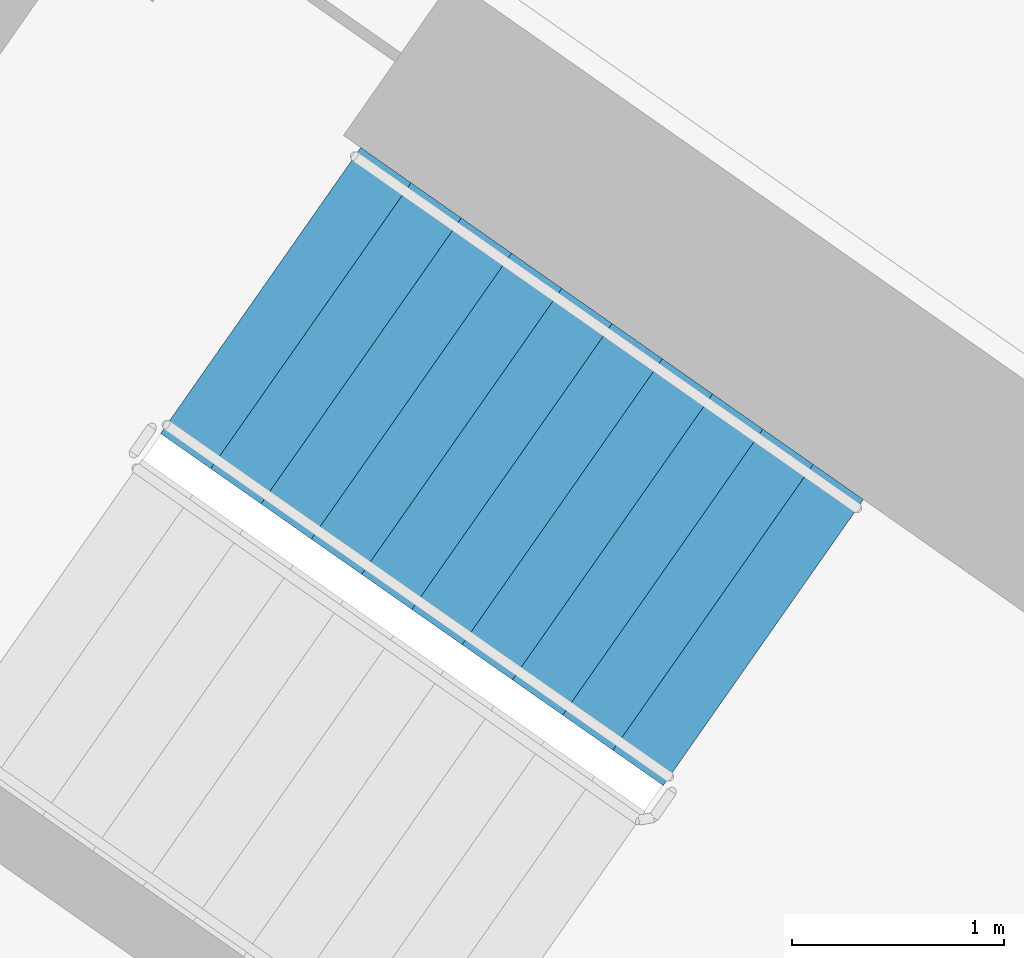
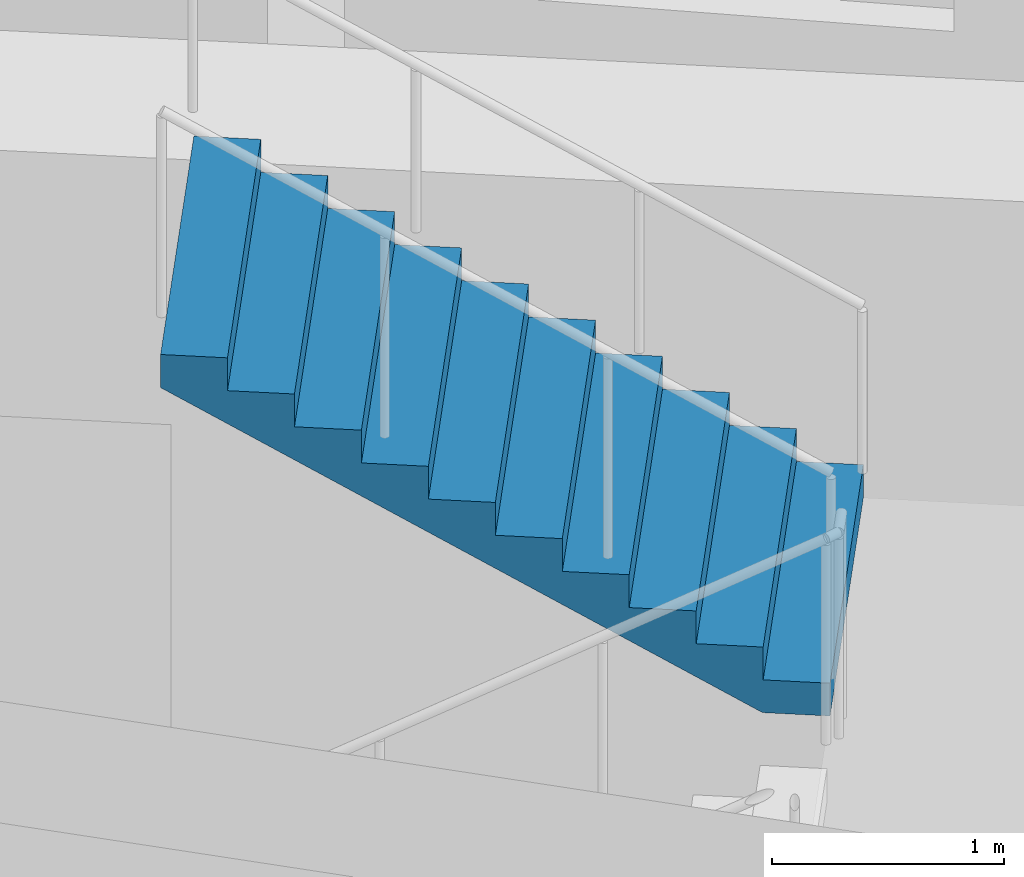
# One storey, part 13 of 29: 1 stair flight, 1 element without a shape of its own.
"""IFC4 building model written with IfcOpenShell, lengths in metres."""

from ifc_helpers import new_model, si_unit, direction, frame, origin, place, context, subcontext, project, spatial, faceted_brep, material, type_object, element, aggregate, save


model = new_model("IFC4")

# Units and contexts
model_context = context("Model", 3, precision=1e-05, world=origin(), true_north=direction((0.0, 1.0)))
body_context = subcontext(model_context, "Body", "Model", "MODEL_VIEW")
ifc_project = project(units=[si_unit("LENGTHUNIT", "METRE"), si_unit("AREAUNIT", "SQUARE_METRE"), si_unit("VOLUMEUNIT", "CUBIC_METRE"), si_unit("PLANEANGLEUNIT", "RADIAN"), si_unit("MASSUNIT", "GRAM", prefix="KILO")], contexts=[model_context])

# Site, building, storey
site_placement = place(None, origin())
site = spatial("IfcSite", under=ifc_project, at=site_placement, CompositionType="ELEMENT")
building_placement = place(site_placement, origin())
building = spatial("IfcBuilding", under=site, at=building_placement, Name="Qamariyya Broadcast Tower", CompositionType="ELEMENT")
storey_placement = place(building_placement, frame((0.0, 0.0, 44.300048828125)))
storey = spatial("IfcBuildingStorey", under=building, at=storey_placement, Name="L07", CompositionType="ELEMENT", Elevation=44.300048828125)

# Stair, stair flight
ifc_material = material(Name="Concrete C50/60", Category="concrete")
stair_type = type_object("IfcStairType", Name="Exit stair 22 risers of 173 mm", PredefinedType="HALF_TURN_STAIR", material=ifc_material)
stair_placement = place(storey_placement, origin())
stair = element("IfcStair", 1, at=stair_placement, inside=storey, type_object=stair_type, Name="L07 Stair W2", PredefinedType="HALF_TURN_STAIR")
stair_flight_type = type_object("IfcStairFlightType", Name="Exit stair flight 11 risers of 173 mm", PredefinedType="STRAIGHT", material=ifc_material)
stair_flight_placement = place(storey_placement, frame((-38.18310546875, -49.3486328125, 1.89990234375), z_axis=(0.0, 0.0, 1.0), x_axis=(-0.819152044289, 0.573576436351, 0.0)))
stair_flight = element("IfcStairFlight", 2, at=stair_flight_placement, type_object=stair_flight_type, Name="ST-W2 flight 2", NumberOfRisers=11, NumberOfTreads=10, PredefinedType="STRAIGHT", RiserHeight=0.172727273, TreadLength=0.29, context=body_context, shape_type="Brep", body=[
    faceted_brep([(0.0, 0.824951171875, 0.0), (0.0, 0.824951171875, 0.172607421875), (0.2900390625, 0.824951171875, 0.172607421875), (0.2900390625, 0.824951171875, 0.345458984375), (0.580078125, 0.824951171875, 0.345458984375), (0.580078125, 0.824951171875, 0.51806640625), (0.8701171875, 0.824951171875, 0.51806640625), (0.8701171875, 0.824951171875, 0.69091796875), (1.159912109375, 0.824951171875, 0.69091796875), (1.159912109375, 0.824951171875, 0.863525390625), (1.449951171875, 0.824951171875, 0.863525390625), (1.449951171875, 0.824951171875, 1.036376953125), (1.739990234375, 0.824951171875, 1.036376953125), (1.739990234375, 0.824951171875, 1.208984375), (2.030029296875, 0.824951171875, 1.208984375), (2.030029296875, 0.824951171875, 1.3818359375), (2.320068359375, 0.824951171875, 1.3818359375), (2.320068359375, 0.824951171875, 1.554443359375), (2.610107421875, 0.824951171875, 1.554443359375), (2.610107421875, 0.824951171875, 1.727294921875), (2.89990234375, 0.824951171875, 1.727294921875), (2.89990234375, 0.824951171875, 1.552734375), (0.29296875, 0.824951171875, 0.0), (0.29296875, -0.824951171875, 0.0), (2.89990234375, -0.824951171875, 1.552734375), (2.89990234375, -0.824951171875, 1.727294921875), (2.610107421875, -0.824951171875, 1.727294921875), (2.610107421875, -0.824951171875, 1.554443359375), (2.320068359375, -0.824951171875, 1.554443359375), (2.320068359375, -0.824951171875, 1.3818359375), (2.030029296875, -0.824951171875, 1.3818359375), (2.030029296875, -0.824951171875, 1.208984375), (1.739990234375, -0.824951171875, 1.208984375), (1.739990234375, -0.824951171875, 1.036376953125), (1.449951171875, -0.824951171875, 1.036376953125), (1.449951171875, -0.824951171875, 0.863525390625), (1.159912109375, -0.824951171875, 0.863525390625), (1.159912109375, -0.824951171875, 0.69091796875), (0.8701171875, -0.824951171875, 0.69091796875), (0.8701171875, -0.824951171875, 0.51806640625), (0.580078125, -0.824951171875, 0.51806640625), (0.580078125, -0.824951171875, 0.345458984375), (0.2900390625, -0.824951171875, 0.345458984375), (0.2900390625, -0.824951171875, 0.172607421875), (0.0, -0.824951171875, 0.172607421875), (0.0, -0.824951171875, 0.0), (0.0, 0.10009765625, 0.0), (0.0, 0.086669921875, 0.0), (0.0, 0.0732421875, 0.0), (0.0, 0.06005859375, 0.0), (0.0, 0.046630859375, 0.0), (0.0, 0.033447265625, 0.0), (0.0, 0.02001953125, 0.0), (0.0, 0.006591796875, 0.0), (0.0, -0.006591796875, 0.0), (0.0, -0.02001953125, 0.0), (0.0, -0.033447265625, 0.0), (0.0, -0.046630859375, 0.0), (0.0, -0.06005859375, 0.0), (0.0, -0.0732421875, 0.0), (0.0, -0.086669921875, 0.0), (0.0, -0.10009765625, 0.0), (0.0, -0.10009765625, 0.172607421875), (0.0, -0.086669921875, 0.172607421875), (0.0, -0.0732421875, 0.172607421875), (0.0, -0.06005859375, 0.172607421875), (0.0, -0.046630859375, 0.172607421875), (0.0, -0.033447265625, 0.172607421875), (0.0, -0.02001953125, 0.172607421875), (0.0, -0.006591796875, 0.172607421875), (0.0, 0.006591796875, 0.172607421875), (0.0, 0.02001953125, 0.172607421875), (0.0, 0.033447265625, 0.172607421875), (0.0, 0.046630859375, 0.172607421875), (0.0, 0.06005859375, 0.172607421875), (0.0, 0.0732421875, 0.172607421875), (0.0, 0.086669921875, 0.172607421875), (0.0, 0.10009765625, 0.172607421875), (0.2900390625, -0.10009765625, 0.172607421875), (0.2900390625, -0.086669921875, 0.172607421875), (0.2900390625, -0.0732421875, 0.172607421875), (0.2900390625, -0.06005859375, 0.172607421875), (0.2900390625, -0.046630859375, 0.172607421875), (0.2900390625, -0.033447265625, 0.172607421875), (0.2900390625, -0.02001953125, 0.172607421875), (0.2900390625, -0.006591796875, 0.172607421875), (0.2900390625, 0.006591796875, 0.172607421875), (0.2900390625, 0.02001953125, 0.172607421875), (0.2900390625, 0.033447265625, 0.172607421875), (0.2900390625, 0.046630859375, 0.172607421875), (0.2900390625, 0.06005859375, 0.172607421875), (0.2900390625, 0.0732421875, 0.172607421875), (0.2900390625, 0.086669921875, 0.172607421875), (0.2900390625, 0.10009765625, 0.172607421875), (0.2900390625, -0.10009765625, 0.345458984375), (0.2900390625, -0.086669921875, 0.345458984375), (0.2900390625, -0.0732421875, 0.345458984375), (0.2900390625, -0.06005859375, 0.345458984375), (0.2900390625, -0.046630859375, 0.345458984375), (0.2900390625, -0.033447265625, 0.345458984375), (0.2900390625, -0.02001953125, 0.345458984375), (0.2900390625, -0.006591796875, 0.345458984375), (0.2900390625, 0.006591796875, 0.345458984375), (0.2900390625, 0.02001953125, 0.345458984375), (0.2900390625, 0.033447265625, 0.345458984375), (0.2900390625, 0.046630859375, 0.345458984375), (0.2900390625, 0.06005859375, 0.345458984375), (0.2900390625, 0.0732421875, 0.345458984375), (0.2900390625, 0.086669921875, 0.345458984375), (0.2900390625, 0.10009765625, 0.345458984375), (0.580078125, -0.10009765625, 0.345458984375), (0.580078125, -0.086669921875, 0.345458984375), (0.580078125, -0.0732421875, 0.345458984375), (0.580078125, -0.06005859375, 0.345458984375), (0.580078125, -0.046630859375, 0.345458984375), (0.580078125, -0.033447265625, 0.345458984375), (0.580078125, -0.02001953125, 0.345458984375), (0.580078125, -0.006591796875, 0.345458984375), (0.580078125, 0.006591796875, 0.345458984375), (0.580078125, 0.02001953125, 0.345458984375), (0.580078125, 0.033447265625, 0.345458984375), (0.580078125, 0.046630859375, 0.345458984375), (0.580078125, 0.06005859375, 0.345458984375), (0.580078125, 0.0732421875, 0.345458984375), (0.580078125, 0.086669921875, 0.345458984375), (0.580078125, 0.10009765625, 0.345458984375), (0.580078125, -0.10009765625, 0.51806640625), (0.580078125, -0.086669921875, 0.51806640625), (0.580078125, -0.0732421875, 0.51806640625), (0.580078125, -0.06005859375, 0.51806640625), (0.580078125, -0.046630859375, 0.51806640625), (0.580078125, -0.033447265625, 0.51806640625), (0.580078125, -0.02001953125, 0.51806640625), (0.580078125, -0.006591796875, 0.51806640625), (0.580078125, 0.006591796875, 0.51806640625), (0.580078125, 0.02001953125, 0.51806640625), (0.580078125, 0.033447265625, 0.51806640625), (0.580078125, 0.046630859375, 0.51806640625), (0.580078125, 0.06005859375, 0.51806640625), (0.580078125, 0.0732421875, 0.51806640625), (0.580078125, 0.086669921875, 0.51806640625), (0.580078125, 0.10009765625, 0.51806640625), (0.8701171875, -0.10009765625, 0.51806640625), (0.8701171875, -0.086669921875, 0.51806640625), (0.8701171875, -0.0732421875, 0.51806640625), (0.8701171875, -0.06005859375, 0.51806640625), (0.8701171875, -0.046630859375, 0.51806640625), (0.8701171875, -0.033447265625, 0.51806640625), (0.8701171875, -0.02001953125, 0.51806640625), (0.8701171875, -0.006591796875, 0.51806640625), (0.8701171875, 0.006591796875, 0.51806640625), (0.8701171875, 0.02001953125, 0.51806640625), (0.8701171875, 0.033447265625, 0.51806640625), (0.8701171875, 0.046630859375, 0.51806640625), (0.8701171875, 0.06005859375, 0.51806640625), (0.8701171875, 0.0732421875, 0.51806640625), (0.8701171875, 0.086669921875, 0.51806640625), (0.8701171875, 0.10009765625, 0.51806640625), (0.8701171875, -0.10009765625, 0.69091796875), (0.8701171875, -0.086669921875, 0.69091796875), (0.8701171875, -0.0732421875, 0.69091796875), (0.8701171875, -0.06005859375, 0.69091796875), (0.8701171875, -0.046630859375, 0.69091796875), (0.8701171875, -0.033447265625, 0.69091796875), (0.8701171875, -0.02001953125, 0.69091796875), (0.8701171875, -0.006591796875, 0.69091796875), (0.8701171875, 0.006591796875, 0.69091796875), (0.8701171875, 0.02001953125, 0.69091796875), (0.8701171875, 0.033447265625, 0.69091796875), (0.8701171875, 0.046630859375, 0.69091796875), (0.8701171875, 0.06005859375, 0.69091796875), (0.8701171875, 0.0732421875, 0.69091796875), (0.8701171875, 0.086669921875, 0.69091796875), (0.8701171875, 0.10009765625, 0.69091796875), (1.159912109375, -0.10009765625, 0.69091796875), (1.159912109375, -0.086669921875, 0.69091796875), (1.159912109375, -0.0732421875, 0.69091796875), (1.159912109375, -0.06005859375, 0.69091796875), (1.159912109375, -0.046630859375, 0.69091796875), (1.159912109375, -0.033447265625, 0.69091796875), (1.159912109375, -0.02001953125, 0.69091796875), (1.159912109375, -0.006591796875, 0.69091796875), (1.159912109375, 0.006591796875, 0.69091796875), (1.159912109375, 0.02001953125, 0.69091796875), (1.159912109375, 0.033447265625, 0.69091796875), (1.159912109375, 0.046630859375, 0.69091796875), (1.159912109375, 0.06005859375, 0.69091796875), (1.159912109375, 0.0732421875, 0.69091796875), (1.159912109375, 0.086669921875, 0.69091796875), (1.159912109375, 0.10009765625, 0.69091796875), (1.159912109375, -0.10009765625, 0.863525390625), (1.159912109375, -0.086669921875, 0.863525390625), (1.159912109375, -0.0732421875, 0.863525390625), (1.159912109375, -0.06005859375, 0.863525390625), (1.159912109375, -0.046630859375, 0.863525390625), (1.159912109375, -0.033447265625, 0.863525390625), (1.159912109375, -0.02001953125, 0.863525390625), (1.159912109375, -0.006591796875, 0.863525390625), (1.159912109375, 0.006591796875, 0.863525390625), (1.159912109375, 0.02001953125, 0.863525390625), (1.159912109375, 0.033447265625, 0.863525390625), (1.159912109375, 0.046630859375, 0.863525390625), (1.159912109375, 0.06005859375, 0.863525390625), (1.159912109375, 0.0732421875, 0.863525390625), (1.159912109375, 0.086669921875, 0.863525390625), (1.159912109375, 0.10009765625, 0.863525390625), (1.449951171875, -0.10009765625, 0.863525390625), (1.449951171875, -0.086669921875, 0.863525390625), (1.449951171875, -0.0732421875, 0.863525390625), (1.449951171875, -0.06005859375, 0.863525390625), (1.449951171875, -0.046630859375, 0.863525390625), (1.449951171875, -0.033447265625, 0.863525390625), (1.449951171875, -0.02001953125, 0.863525390625), (1.449951171875, -0.006591796875, 0.863525390625), (1.449951171875, 0.006591796875, 0.863525390625), (1.449951171875, 0.02001953125, 0.863525390625), (1.449951171875, 0.033447265625, 0.863525390625), (1.449951171875, 0.046630859375, 0.863525390625), (1.449951171875, 0.06005859375, 0.863525390625), (1.449951171875, 0.0732421875, 0.863525390625), (1.449951171875, 0.086669921875, 0.863525390625), (1.449951171875, 0.10009765625, 0.863525390625), (1.449951171875, -0.10009765625, 1.036376953125), (1.449951171875, -0.086669921875, 1.036376953125), (1.449951171875, -0.0732421875, 1.036376953125), (1.449951171875, -0.06005859375, 1.036376953125), (1.449951171875, -0.046630859375, 1.036376953125), (1.449951171875, -0.033447265625, 1.036376953125), (1.449951171875, -0.02001953125, 1.036376953125), (1.449951171875, -0.006591796875, 1.036376953125), (1.449951171875, 0.006591796875, 1.036376953125), (1.449951171875, 0.02001953125, 1.036376953125), (1.449951171875, 0.033447265625, 1.036376953125), (1.449951171875, 0.046630859375, 1.036376953125), (1.449951171875, 0.06005859375, 1.036376953125), (1.449951171875, 0.0732421875, 1.036376953125), (1.449951171875, 0.086669921875, 1.036376953125), (1.449951171875, 0.10009765625, 1.036376953125), (1.739990234375, -0.10009765625, 1.036376953125), (1.739990234375, -0.086669921875, 1.036376953125), (1.739990234375, -0.0732421875, 1.036376953125), (1.739990234375, -0.06005859375, 1.036376953125), (1.739990234375, -0.046630859375, 1.036376953125), (1.739990234375, -0.033447265625, 1.036376953125), (1.739990234375, -0.02001953125, 1.036376953125), (1.739990234375, -0.006591796875, 1.036376953125), (1.739990234375, 0.006591796875, 1.036376953125), (1.739990234375, 0.02001953125, 1.036376953125), (1.739990234375, 0.033447265625, 1.036376953125), (1.739990234375, 0.046630859375, 1.036376953125), (1.739990234375, 0.06005859375, 1.036376953125), (1.739990234375, 0.0732421875, 1.036376953125), (1.739990234375, 0.086669921875, 1.036376953125), (1.739990234375, 0.10009765625, 1.036376953125), (1.739990234375, -0.10009765625, 1.208984375), (1.739990234375, -0.086669921875, 1.208984375), (1.739990234375, -0.0732421875, 1.208984375), (1.739990234375, -0.06005859375, 1.208984375), (1.739990234375, -0.046630859375, 1.208984375), (1.739990234375, -0.033447265625, 1.208984375), (1.739990234375, -0.02001953125, 1.208984375), (1.739990234375, -0.006591796875, 1.208984375), (1.739990234375, 0.006591796875, 1.208984375), (1.739990234375, 0.02001953125, 1.208984375), (1.739990234375, 0.033447265625, 1.208984375), (1.739990234375, 0.046630859375, 1.208984375), (1.739990234375, 0.06005859375, 1.208984375), (1.739990234375, 0.0732421875, 1.208984375), (1.739990234375, 0.086669921875, 1.208984375), (1.739990234375, 0.10009765625, 1.208984375), (2.030029296875, -0.10009765625, 1.208984375), (2.030029296875, -0.086669921875, 1.208984375), (2.030029296875, -0.0732421875, 1.208984375), (2.030029296875, -0.06005859375, 1.208984375), (2.030029296875, -0.046630859375, 1.208984375), (2.030029296875, -0.033447265625, 1.208984375), (2.030029296875, -0.02001953125, 1.208984375), (2.030029296875, -0.006591796875, 1.208984375), (2.030029296875, 0.006591796875, 1.208984375), (2.030029296875, 0.02001953125, 1.208984375), (2.030029296875, 0.033447265625, 1.208984375), (2.030029296875, 0.046630859375, 1.208984375), (2.030029296875, 0.06005859375, 1.208984375), (2.030029296875, 0.0732421875, 1.208984375), (2.030029296875, 0.086669921875, 1.208984375), (2.030029296875, 0.10009765625, 1.208984375), (2.030029296875, -0.10009765625, 1.3818359375), (2.030029296875, -0.086669921875, 1.3818359375), (2.030029296875, -0.0732421875, 1.3818359375), (2.030029296875, -0.06005859375, 1.3818359375), (2.030029296875, -0.046630859375, 1.3818359375), (2.030029296875, -0.033447265625, 1.3818359375), (2.030029296875, -0.02001953125, 1.3818359375), (2.030029296875, -0.006591796875, 1.3818359375), (2.030029296875, 0.006591796875, 1.3818359375), (2.030029296875, 0.02001953125, 1.3818359375), (2.030029296875, 0.033447265625, 1.3818359375), (2.030029296875, 0.046630859375, 1.3818359375), (2.030029296875, 0.06005859375, 1.3818359375), (2.030029296875, 0.0732421875, 1.3818359375), (2.030029296875, 0.086669921875, 1.3818359375), (2.030029296875, 0.10009765625, 1.3818359375), (2.320068359375, -0.10009765625, 1.3818359375), (2.320068359375, -0.086669921875, 1.3818359375), (2.320068359375, -0.0732421875, 1.3818359375), (2.320068359375, -0.06005859375, 1.3818359375), (2.320068359375, -0.046630859375, 1.3818359375), (2.320068359375, -0.033447265625, 1.3818359375), (2.320068359375, -0.02001953125, 1.3818359375), (2.320068359375, -0.006591796875, 1.3818359375), (2.320068359375, 0.006591796875, 1.3818359375), (2.320068359375, 0.02001953125, 1.3818359375), (2.320068359375, 0.033447265625, 1.3818359375), (2.320068359375, 0.046630859375, 1.3818359375), (2.320068359375, 0.06005859375, 1.3818359375), (2.320068359375, 0.0732421875, 1.3818359375), (2.320068359375, 0.086669921875, 1.3818359375), (2.320068359375, 0.10009765625, 1.3818359375), (2.320068359375, -0.10009765625, 1.554443359375), (2.320068359375, -0.086669921875, 1.554443359375), (2.320068359375, -0.0732421875, 1.554443359375), (2.320068359375, -0.06005859375, 1.554443359375), (2.320068359375, -0.046630859375, 1.554443359375), (2.320068359375, -0.033447265625, 1.554443359375), (2.320068359375, -0.02001953125, 1.554443359375), (2.320068359375, -0.006591796875, 1.554443359375), (2.320068359375, 0.006591796875, 1.554443359375), (2.320068359375, 0.02001953125, 1.554443359375), (2.320068359375, 0.033447265625, 1.554443359375), (2.320068359375, 0.046630859375, 1.554443359375), (2.320068359375, 0.06005859375, 1.554443359375), (2.320068359375, 0.0732421875, 1.554443359375), (2.320068359375, 0.086669921875, 1.554443359375), (2.320068359375, 0.10009765625, 1.554443359375), (2.610107421875, -0.10009765625, 1.554443359375), (2.610107421875, -0.086669921875, 1.554443359375), (2.610107421875, -0.0732421875, 1.554443359375), (2.610107421875, -0.06005859375, 1.554443359375), (2.610107421875, -0.046630859375, 1.554443359375), (2.610107421875, -0.033447265625, 1.554443359375), (2.610107421875, -0.02001953125, 1.554443359375), (2.610107421875, -0.006591796875, 1.554443359375), (2.610107421875, 0.006591796875, 1.554443359375), (2.610107421875, 0.02001953125, 1.554443359375), (2.610107421875, 0.033447265625, 1.554443359375), (2.610107421875, 0.046630859375, 1.554443359375), (2.610107421875, 0.06005859375, 1.554443359375), (2.610107421875, 0.0732421875, 1.554443359375), (2.610107421875, 0.086669921875, 1.554443359375), (2.610107421875, 0.10009765625, 1.554443359375), (2.610107421875, -0.10009765625, 1.727294921875), (2.610107421875, -0.086669921875, 1.727294921875), (2.610107421875, -0.0732421875, 1.727294921875), (2.610107421875, -0.06005859375, 1.727294921875), (2.610107421875, -0.046630859375, 1.727294921875), (2.610107421875, -0.033447265625, 1.727294921875), (2.610107421875, -0.02001953125, 1.727294921875), (2.610107421875, -0.006591796875, 1.727294921875), (2.610107421875, 0.006591796875, 1.727294921875), (2.610107421875, 0.02001953125, 1.727294921875), (2.610107421875, 0.033447265625, 1.727294921875), (2.610107421875, 0.046630859375, 1.727294921875), (2.610107421875, 0.06005859375, 1.727294921875), (2.610107421875, 0.0732421875, 1.727294921875), (2.610107421875, 0.086669921875, 1.727294921875), (2.610107421875, 0.10009765625, 1.727294921875), (2.89990234375, -0.10009765625, 1.727294921875), (2.89990234375, -0.086669921875, 1.727294921875), (2.89990234375, -0.0732421875, 1.727294921875), (2.89990234375, -0.06005859375, 1.727294921875), (2.89990234375, -0.046630859375, 1.727294921875), (2.89990234375, -0.033447265625, 1.727294921875), (2.89990234375, -0.02001953125, 1.727294921875), (2.89990234375, -0.006591796875, 1.727294921875), (2.89990234375, 0.006591796875, 1.727294921875), (2.89990234375, 0.02001953125, 1.727294921875), (2.89990234375, 0.033447265625, 1.727294921875), (2.89990234375, 0.046630859375, 1.727294921875), (2.89990234375, 0.06005859375, 1.727294921875), (2.89990234375, 0.0732421875, 1.727294921875), (2.89990234375, 0.086669921875, 1.727294921875), (2.89990234375, 0.10009765625, 1.727294921875), (2.89990234375, -0.10009765625, 1.552734375), (2.89990234375, -0.086669921875, 1.552734375), (2.89990234375, -0.0732421875, 1.552734375), (2.89990234375, -0.06005859375, 1.552734375), (2.89990234375, -0.046630859375, 1.552734375), (2.89990234375, -0.033447265625, 1.552734375), (2.89990234375, -0.02001953125, 1.552734375), (2.89990234375, -0.006591796875, 1.552734375), (2.89990234375, 0.006591796875, 1.552734375), (2.89990234375, 0.02001953125, 1.552734375), (2.89990234375, 0.033447265625, 1.552734375), (2.89990234375, 0.046630859375, 1.552734375), (2.89990234375, 0.06005859375, 1.552734375), (2.89990234375, 0.0732421875, 1.552734375), (2.89990234375, 0.086669921875, 1.552734375), (2.89990234375, 0.10009765625, 1.552734375), (0.29296875, -0.10009765625, 0.0), (0.29296875, -0.086669921875, 0.0), (0.29296875, -0.0732421875, 0.0), (0.29296875, -0.06005859375, 0.0), (0.29296875, -0.046630859375, 0.0), (0.29296875, -0.033447265625, 0.0), (0.29296875, -0.02001953125, 0.0), (0.29296875, -0.006591796875, 0.0), (0.29296875, 0.006591796875, 0.0), (0.29296875, 0.02001953125, 0.0), (0.29296875, 0.033447265625, 0.0), (0.29296875, 0.046630859375, 0.0), (0.29296875, 0.06005859375, 0.0), (0.29296875, 0.0732421875, 0.0), (0.29296875, 0.086669921875, 0.0), (0.29296875, 0.10009765625, 0.0)], [[[0, 1, 2, 3, 4, 5, 6, 7, 8, 9, 10, 11, 12, 13, 14, 15, 16, 17, 18, 19, 20, 21, 22]], [[23, 24, 25, 26, 27, 28, 29, 30, 31, 32, 33, 34, 35, 36, 37, 38, 39, 40, 41, 42, 43, 44, 45]], [[0, 46, 47, 48, 49, 50, 51, 52, 53, 54, 55, 56, 57, 58, 59, 60, 61, 45, 44, 62, 63, 64, 65, 66, 67, 68, 69, 70, 71, 72, 73, 74, 75, 76, 77, 1]], [[1, 77, 76, 75, 74, 73, 72, 71, 70, 69, 68, 67, 66, 65, 64, 63, 62, 44, 43, 78, 79, 80, 81, 82, 83, 84, 85, 86, 87, 88, 89, 90, 91, 92, 93, 2]], [[2, 93, 92, 91, 90, 89, 88, 87, 86, 85, 84, 83, 82, 81, 80, 79, 78, 43, 42, 94, 95, 96, 97, 98, 99, 100, 101, 102, 103, 104, 105, 106, 107, 108, 109, 3]], [[3, 109, 108, 107, 106, 105, 104, 103, 102, 101, 100, 99, 98, 97, 96, 95, 94, 42, 41, 110, 111, 112, 113, 114, 115, 116, 117, 118, 119, 120, 121, 122, 123, 124, 125, 4]], [[4, 125, 124, 123, 122, 121, 120, 119, 118, 117, 116, 115, 114, 113, 112, 111, 110, 41, 40, 126, 127, 128, 129, 130, 131, 132, 133, 134, 135, 136, 137, 138, 139, 140, 141, 5]], [[5, 141, 140, 139, 138, 137, 136, 135, 134, 133, 132, 131, 130, 129, 128, 127, 126, 40, 39, 142, 143, 144, 145, 146, 147, 148, 149, 150, 151, 152, 153, 154, 155, 156, 157, 6]], [[6, 157, 156, 155, 154, 153, 152, 151, 150, 149, 148, 147, 146, 145, 144, 143, 142, 39, 38, 158, 159, 160, 161, 162, 163, 164, 165, 166, 167, 168, 169, 170, 171, 172, 173, 7]], [[7, 173, 172, 171, 170, 169, 168, 167, 166, 165, 164, 163, 162, 161, 160, 159, 158, 38, 37, 174, 175, 176, 177, 178, 179, 180, 181, 182, 183, 184, 185, 186, 187, 188, 189, 8]], [[8, 189, 188, 187, 186, 185, 184, 183, 182, 181, 180, 179, 178, 177, 176, 175, 174, 37, 36, 190, 191, 192, 193, 194, 195, 196, 197, 198, 199, 200, 201, 202, 203, 204, 205, 9]], [[9, 205, 204, 203, 202, 201, 200, 199, 198, 197, 196, 195, 194, 193, 192, 191, 190, 36, 35, 206, 207, 208, 209, 210, 211, 212, 213, 214, 215, 216, 217, 218, 219, 220, 221, 10]], [[10, 221, 220, 219, 218, 217, 216, 215, 214, 213, 212, 211, 210, 209, 208, 207, 206, 35, 34, 222, 223, 224, 225, 226, 227, 228, 229, 230, 231, 232, 233, 234, 235, 236, 237, 11]], [[11, 237, 236, 235, 234, 233, 232, 231, 230, 229, 228, 227, 226, 225, 224, 223, 222, 34, 33, 238, 239, 240, 241, 242, 243, 244, 245, 246, 247, 248, 249, 250, 251, 252, 253, 12]], [[12, 253, 252, 251, 250, 249, 248, 247, 246, 245, 244, 243, 242, 241, 240, 239, 238, 33, 32, 254, 255, 256, 257, 258, 259, 260, 261, 262, 263, 264, 265, 266, 267, 268, 269, 13]], [[13, 269, 268, 267, 266, 265, 264, 263, 262, 261, 260, 259, 258, 257, 256, 255, 254, 32, 31, 270, 271, 272, 273, 274, 275, 276, 277, 278, 279, 280, 281, 282, 283, 284, 285, 14]], [[14, 285, 284, 283, 282, 281, 280, 279, 278, 277, 276, 275, 274, 273, 272, 271, 270, 31, 30, 286, 287, 288, 289, 290, 291, 292, 293, 294, 295, 296, 297, 298, 299, 300, 301, 15]], [[15, 301, 300, 299, 298, 297, 296, 295, 294, 293, 292, 291, 290, 289, 288, 287, 286, 30, 29, 302, 303, 304, 305, 306, 307, 308, 309, 310, 311, 312, 313, 314, 315, 316, 317, 16]], [[16, 317, 316, 315, 314, 313, 312, 311, 310, 309, 308, 307, 306, 305, 304, 303, 302, 29, 28, 318, 319, 320, 321, 322, 323, 324, 325, 326, 327, 328, 329, 330, 331, 332, 333, 17]], [[17, 333, 332, 331, 330, 329, 328, 327, 326, 325, 324, 323, 322, 321, 320, 319, 318, 28, 27, 334, 335, 336, 337, 338, 339, 340, 341, 342, 343, 344, 345, 346, 347, 348, 349, 18]], [[18, 349, 348, 347, 346, 345, 344, 343, 342, 341, 340, 339, 338, 337, 336, 335, 334, 27, 26, 350, 351, 352, 353, 354, 355, 356, 357, 358, 359, 360, 361, 362, 363, 364, 365, 19]], [[19, 365, 364, 363, 362, 361, 360, 359, 358, 357, 356, 355, 354, 353, 352, 351, 350, 26, 25, 366, 367, 368, 369, 370, 371, 372, 373, 374, 375, 376, 377, 378, 379, 380, 381, 20]], [[20, 381, 380, 379, 378, 377, 376, 375, 374, 373, 372, 371, 370, 369, 368, 367, 366, 25, 24, 382, 383, 384, 385, 386, 387, 388, 389, 390, 391, 392, 393, 394, 395, 396, 397, 21]], [[21, 397, 396, 395, 394, 393, 392, 391, 390, 389, 388, 387, 386, 385, 384, 383, 382, 24, 23, 398, 399, 400, 401, 402, 403, 404, 405, 406, 407, 408, 409, 410, 411, 412, 413, 22]], [[22, 413, 412, 411, 410, 409, 408, 407, 406, 405, 404, 403, 402, 401, 400, 399, 398, 23, 45, 61, 60, 59, 58, 57, 56, 55, 54, 53, 52, 51, 50, 49, 48, 47, 46, 0]]]),
])
aggregate(stair, [stair_flight])

save(model, "model.ifc")
